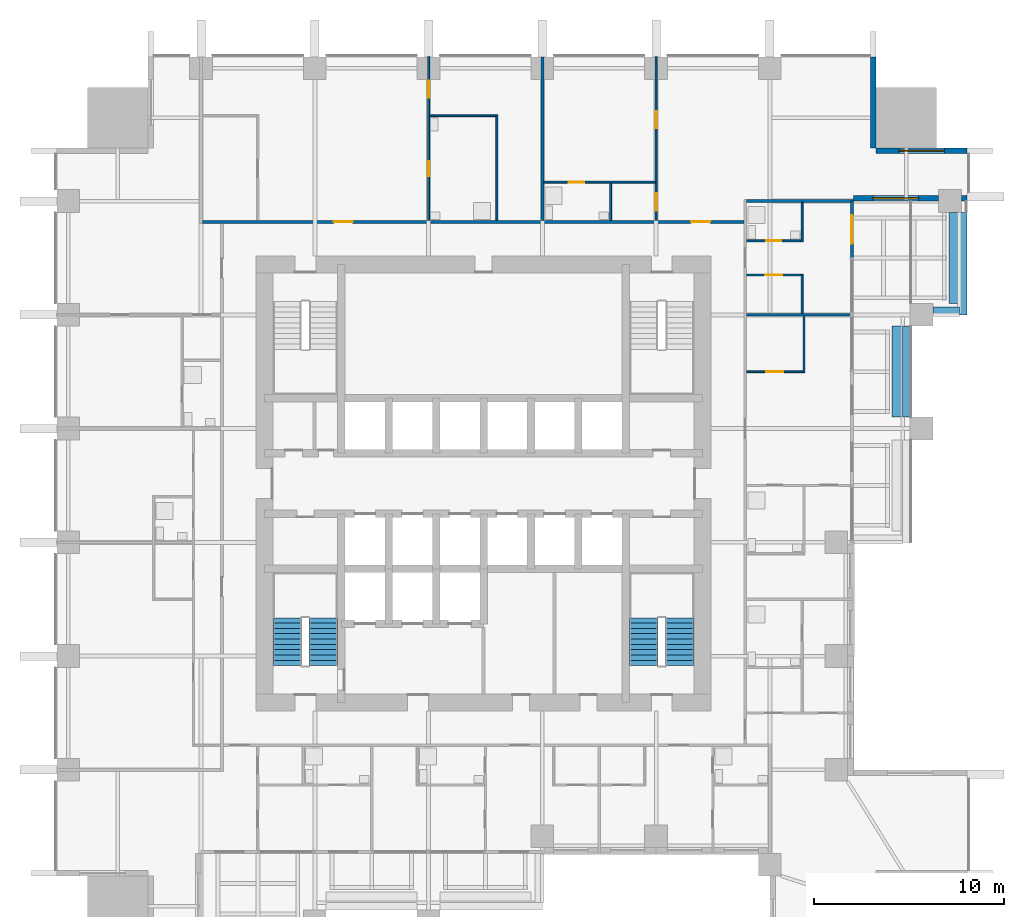
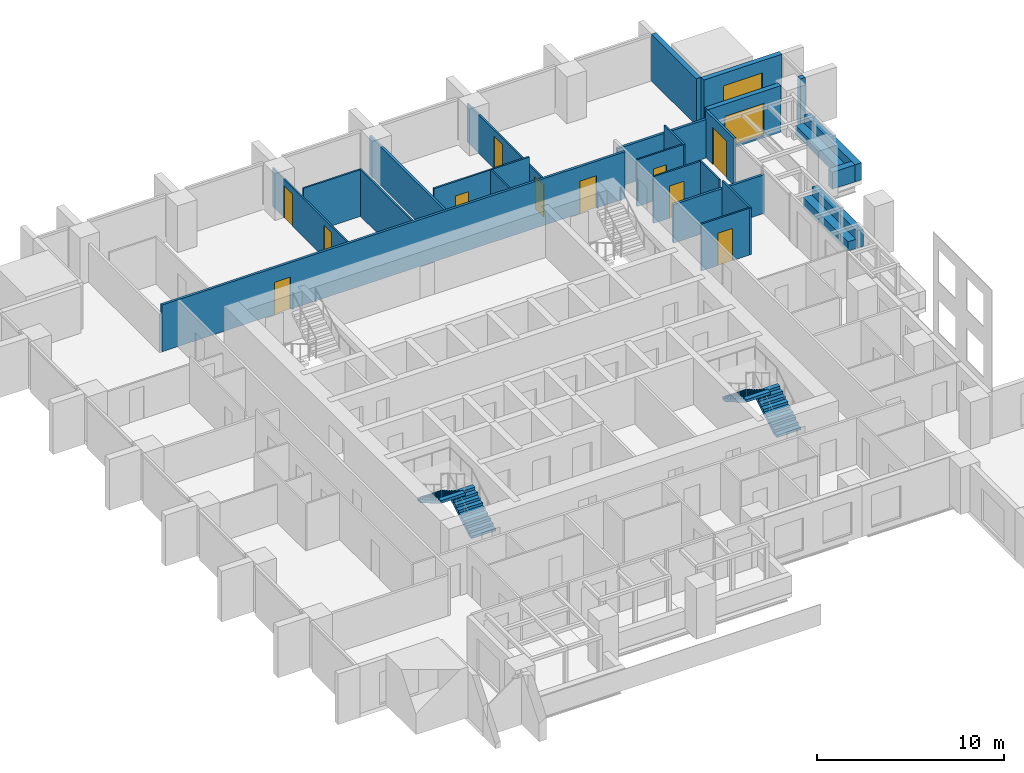
# One storey, part 11 of 15: 26 walls, 11 doors, 4 stair flights, 2 windows, 13 openings, 2 elements without a shape of their own.
"""IFC4 building model written with IfcOpenShell, lengths in metres."""

from ifc_helpers import new_model, si_unit, direction, frame, frame_2d, origin, place, context, subcontext, project, spatial, polyline, rectangle, outline, extrude, material, layer, layer_set, type_object, element, fill, aggregate, save


model = new_model("IFC4")

# Units and contexts
model_context = context("Model", 3, precision=1e-05, world=origin(), true_north=direction((0.0, 1.0)))
body_context = subcontext(model_context, "Body", "Model", "MODEL_VIEW")
ifc_project = project(units=[si_unit("LENGTHUNIT", "METRE"), si_unit("AREAUNIT", "SQUARE_METRE"), si_unit("VOLUMEUNIT", "CUBIC_METRE"), si_unit("PLANEANGLEUNIT", "RADIAN"), si_unit("MASSUNIT", "GRAM", prefix="KILO")], contexts=[model_context])

# Site, building, storey
site_placement = place(None, origin())
site = spatial("IfcSite", under=ifc_project, at=site_placement, CompositionType="ELEMENT")
building_placement = place(site_placement, origin())
building = spatial("IfcBuilding", under=site, at=building_placement, Name="Amberfall Residences", CompositionType="ELEMENT")
storey_placement = place(building_placement, frame((0.0, 0.0, 53.199951171875)))
storey = spatial("IfcBuildingStorey", under=building, at=storey_placement, Name="L14", CompositionType="ELEMENT", Elevation=53.199951171875)

# Wall, opening, window
ifc_material_1 = material(Name="Pale stone cladding on insulated backing", Category="masonry")
ifc_layer_1 = layer(ifc_material_1, 0.300048828125)
ifc_layer_set_1 = layer_set([ifc_layer_1], Name="Bronze clad wall 300")
wall_type_1 = type_object("IfcWallType", Name="Bronze clad wall 300", PredefinedType="SOLIDWALL", material=ifc_layer_set_1)
wall_1_placement = place(storey_placement, frame((94.0, 60.550048828125, 0.0), z_axis=(0.0, 0.0, 1.0), x_axis=(1.0, 0.0, 0.0)))
wall_1 = element("IfcWall", 1, at=wall_1_placement, inside=storey, type_object=wall_type_1, Name="External wall L14 E", PredefinedType="SOLIDWALL", context=body_context, shape_type="SweptSolid", body=[
    extrude(rectangle(XDim=4.5, YDim=0.300048828125, at=frame_2d((2.25, 0.0))), origin(), (0.0, 0.0, 1.0), 3.050048828125),
])
opening_1_placement = place(wall_1_placement, frame((1.050048828125, 0.0, 0.14990234375)))
opening_1 = element("IfcOpeningElement", 2, at=opening_1_placement, cuts=wall_1, Name="Opening WN5", PredefinedType="OPENING", context=body_context, shape_type="SweptSolid", body=[
    extrude(rectangle(XDim=2.39990234375, YDim=2.10009765625, at=frame_2d((1.199951171875, 1.050048828125))), frame((0.0, 0.159912109375, 0.0), z_axis=(0.0, -1.0, 0.0), x_axis=(1.0, 0.0, 0.0)), (0.0, 0.0, 1.0), 0.320068359375),
])
ifc_material_2 = material(Name="Bronze aluminium framed glazing", Category="aluminium")
window_type = type_object("IfcWindowType", Name="Glazed opening 2400 x 2100 bronze", PartitioningType="DOUBLE_PANEL_VERTICAL", PredefinedType="WINDOW", material=ifc_material_2)
window_1_placement = place(opening_1_placement, origin())
window_1 = element("IfcWindow", 3, at=window_1_placement, inside=storey, type_object=window_type, Name="Window L14 E", OverallHeight=2.10009765625, OverallWidth=2.39990234375, PartitioningType="DOUBLE_PANEL_VERTICAL", PredefinedType="WINDOW", context=body_context, shape_type="SweptSolid", body=[
    extrude(rectangle(XDim=2.39990234375, YDim=2.10009765625, at=frame_2d((1.199951171875, 1.050048828125))), frame((0.0, 0.030029296875, 0.0), z_axis=(0.0, -1.0, 0.0), x_axis=(1.0, 0.0, 0.0)), (0.0, 0.0, 1.0), 0.06005859375),
])
fill(opening_1, window_1)

# Wall
wall_2_placement = place(storey_placement, frame((99.699951171875, 60.550048828125, 0.0), z_axis=(0.0, 0.0, 1.0), x_axis=(1.0, 0.0, 0.0)))
element("IfcWall", 4, at=wall_2_placement, inside=storey, type_object=wall_type_1, Name="External wall L14 E", PredefinedType="SOLIDWALL", context=body_context, shape_type="SweptSolid", body=[
    extrude(rectangle(XDim=0.300048828125, YDim=0.300048828125, at=frame_2d((0.14990234375, 0.0))), origin(), (0.0, 0.0, 1.0), 3.050048828125),
])

# Wall, opening, window
wall_3_placement = place(storey_placement, frame((100.0, 63.050048828125, 0.0), z_axis=(0.0, 0.0, 1.0), x_axis=(-1.0, 0.0, 0.0)))
wall_3 = element("IfcWall", 5, at=wall_3_placement, inside=storey, type_object=wall_type_1, Name="External wall L14 NE", PredefinedType="SOLIDWALL", context=body_context, shape_type="SweptSolid", body=[
    extrude(rectangle(XDim=4.800048828125, YDim=0.300048828125, at=frame_2d((2.39990234375, 0.0))), origin(), (0.0, 0.0, 1.0), 3.050048828125),
])
opening_2_placement = place(wall_3_placement, frame((1.199951171875, 0.0, 0.14990234375)))
opening_2 = element("IfcOpeningElement", 6, at=opening_2_placement, cuts=wall_3, Name="Opening WN5", PredefinedType="OPENING", context=body_context, shape_type="SweptSolid", body=[
    extrude(rectangle(XDim=2.39990234375, YDim=2.10009765625, at=frame_2d((1.199951171875, 1.050048828125))), frame((0.0, 0.159912109375, 0.0), z_axis=(0.0, -1.0, 0.0), x_axis=(1.0, 0.0, 0.0)), (0.0, 0.0, 1.0), 0.320068359375),
])
window_2_placement = place(opening_2_placement, origin())
window_2 = element("IfcWindow", 7, at=window_2_placement, inside=storey, type_object=window_type, Name="Window L14 NE", OverallHeight=2.10009765625, OverallWidth=2.39990234375, PartitioningType="DOUBLE_PANEL_VERTICAL", PredefinedType="WINDOW", context=body_context, shape_type="SweptSolid", body=[
    extrude(rectangle(XDim=2.39990234375, YDim=2.10009765625, at=frame_2d((1.199951171875, 1.050048828125))), frame((0.0, 0.030029296875, 0.0), z_axis=(0.0, -1.0, 0.0), x_axis=(1.0, 0.0, 0.0)), (0.0, 0.0, 1.0), 0.06005859375),
])
fill(opening_2, window_2)

# Wall
wall_4_placement = place(storey_placement, frame((95.050048828125, 63.199951171875, 0.0), z_axis=(0.0, 0.0, 1.0), x_axis=(0.0, 1.0, 0.0)))
element("IfcWall", 8, at=wall_4_placement, inside=storey, type_object=wall_type_1, Name="External wall L14 NE", PredefinedType="SOLIDWALL", context=body_context, shape_type="SweptSolid", body=[
    extrude(rectangle(XDim=4.800048828125, YDim=0.300048828125, at=frame_2d((2.39990234375, 0.0))), origin(), (0.0, 0.0, 1.0), 3.050048828125),
])

# Wall, openings, doors
ifc_material_3 = material(Name="Gypsum board on metal stud")
ifc_layer_2 = layer(ifc_material_3, 0.10009765625)
ifc_layer_set_2 = layer_set([ifc_layer_2], Name="Flat partition 100")
wall_type_2 = type_object("IfcWallType", Name="Flat partition 100", PredefinedType="PARTITIONING", material=ifc_layer_set_2)
wall_5_placement = place(storey_placement, frame((71.60009765625, 68.0, 0.0), z_axis=(0.0, 0.0, 1.0), x_axis=(0.0, -1.0, 0.0)))
wall_5 = element("IfcWall", 9, at=wall_5_placement, inside=storey, type_object=wall_type_2, Name="Partition 008", PredefinedType="PARTITIONING", context=body_context, shape_type="SweptSolid", body=[
    extrude(rectangle(XDim=8.625, YDim=0.10009765625, at=frame_2d((4.3125, 0.0))), origin(), (0.0, 0.0, 1.0), 2.51611328125),
])
opening_3_placement = place(wall_5_placement, frame((1.25, 0.0, 0.0)))
opening_3 = element("IfcOpeningElement", 10, at=opening_3_placement, cuts=wall_5, Name="Opening D41", PredefinedType="OPENING", context=body_context, shape_type="SweptSolid", body=[
    extrude(rectangle(XDim=0.89990234375, YDim=2.10009765625, at=frame_2d((0.449951171875, 1.050048828125))), frame((0.0, 0.06005859375, 0.0), z_axis=(0.0, -1.0, 0.0), x_axis=(1.0, 0.0, 0.0)), (0.0, 0.0, 1.0), 0.1201171875),
])
opening_4_placement = place(wall_5_placement, frame((5.5, 0.0, 0.0)))
opening_4 = element("IfcOpeningElement", 11, at=opening_4_placement, cuts=wall_5, Name="Opening D42", PredefinedType="OPENING", context=body_context, shape_type="SweptSolid", body=[
    extrude(rectangle(XDim=0.800048828125, YDim=2.10009765625, at=frame_2d((0.39990234375, 1.050048828125))), frame((0.0, 0.06005859375, 0.0), z_axis=(0.0, -1.0, 0.0), x_axis=(1.0, 0.0, 0.0)), (0.0, 0.0, 1.0), 0.1201171875),
])
ifc_material_4 = material(Name="Timber", Category="wood")
door_type_1 = type_object("IfcDoorType", Name="Bathroom door 800 x 2100", OperationType="SINGLE_SWING_LEFT", PredefinedType="DOOR", material=ifc_material_4)
door_1_placement = place(opening_4_placement, origin())
door_1 = element("IfcDoor", 12, at=door_1_placement, inside=storey, type_object=door_type_1, Name="Door 1407 bath1", OperationType="SINGLE_SWING_LEFT", OverallHeight=2.10009765625, OverallWidth=0.800048828125, PredefinedType="DOOR", context=body_context, shape_type="SweptSolid", body=[
    extrude(rectangle(XDim=0.800048828125, YDim=2.10009765625, at=frame_2d((0.39990234375, 1.050048828125))), frame((0.0, 0.02490234375, 0.0), z_axis=(0.0, -1.0, 0.0), x_axis=(1.0, 0.0, 0.0)), (0.0, 0.0, 1.0), 0.050048828125),
])
fill(opening_4, door_1)
door_type_2 = type_object("IfcDoorType", Name="Internal door 900 x 2100", OperationType="SINGLE_SWING_LEFT", PredefinedType="DOOR", material=ifc_material_4)
door_2_placement = place(opening_3_placement, origin())
door_2 = element("IfcDoor", 13, at=door_2_placement, inside=storey, type_object=door_type_2, Name="Door 1407 bedroom1", OperationType="SINGLE_SWING_LEFT", OverallHeight=2.10009765625, OverallWidth=0.89990234375, PredefinedType="DOOR", context=body_context, shape_type="SweptSolid", body=[
    extrude(rectangle(XDim=0.89990234375, YDim=2.10009765625, at=frame_2d((0.449951171875, 1.050048828125))), frame((0.0, 0.02490234375, 0.0), z_axis=(0.0, -1.0, 0.0), x_axis=(1.0, 0.0, 0.0)), (0.0, 0.0, 1.0), 0.050048828125),
])
fill(opening_3, door_2)

# Walls
wall_6_placement = place(storey_placement, frame((75.199951171875, 59.375, 0.0), z_axis=(0.0, 0.0, 1.0), x_axis=(0.0, 1.0, 0.0)))
element("IfcWall", 14, at=wall_6_placement, inside=storey, type_object=wall_type_2, Name="Partition 010", PredefinedType="PARTITIONING", context=body_context, shape_type="SweptSolid", body=[
    extrude(rectangle(XDim=5.574951171875, YDim=0.10009765625, at=frame_2d((2.78759765625, 0.0))), origin(), (0.0, 0.0, 1.0), 3.050048828125),
])
wall_7_placement = place(storey_placement, frame((81.199951171875, 59.375, 0.0), z_axis=(0.0, 0.0, 1.0), x_axis=(0.0, 1.0, 0.0)))
element("IfcWall", 15, at=wall_7_placement, inside=storey, type_object=wall_type_2, Name="Partition 012", PredefinedType="PARTITIONING", context=body_context, shape_type="SweptSolid", body=[
    extrude(rectangle(XDim=1.97509765625, YDim=0.10009765625, at=frame_2d((0.987548828125, 0.0))), origin(), (0.0, 0.0, 1.0), 3.050048828125),
])

# Wall, openings, doors
wall_8_placement = place(storey_placement, frame((83.60009765625, 59.375, 0.0), z_axis=(0.0, 0.0, 1.0), x_axis=(0.0, 1.0, 0.0)))
wall_8 = element("IfcWall", 16, at=wall_8_placement, inside=storey, type_object=wall_type_2, Name="Partition 014", PredefinedType="PARTITIONING", context=body_context, shape_type="SweptSolid", body=[
    extrude(rectangle(XDim=8.625, YDim=0.10009765625, at=frame_2d((4.3125, 0.0))), origin(), (0.0, 0.0, 1.0), 2.51611328125),
])
opening_5_placement = place(wall_8_placement, frame((0.52490234375, 0.0, 0.0)))
opening_5 = element("IfcOpeningElement", 17, at=opening_5_placement, cuts=wall_8, Name="Opening D41", PredefinedType="OPENING", context=body_context, shape_type="SweptSolid", body=[
    extrude(rectangle(XDim=0.89990234375, YDim=2.10009765625, at=frame_2d((0.449951171875, 1.050048828125))), frame((0.0, 0.06005859375, 0.0), z_axis=(0.0, -1.0, 0.0), x_axis=(1.0, 0.0, 0.0)), (0.0, 0.0, 1.0), 0.1201171875),
])
opening_6_placement = place(wall_8_placement, frame((4.875, 0.0, 0.0)))
opening_6 = element("IfcOpeningElement", 18, at=opening_6_placement, cuts=wall_8, Name="Opening D41", PredefinedType="OPENING", context=body_context, shape_type="SweptSolid", body=[
    extrude(rectangle(XDim=0.89990234375, YDim=2.10009765625, at=frame_2d((0.449951171875, 1.050048828125))), frame((0.0, 0.06005859375, 0.0), z_axis=(0.0, -1.0, 0.0), x_axis=(1.0, 0.0, 0.0)), (0.0, 0.0, 1.0), 0.1201171875),
])
door_3_placement = place(opening_5_placement, origin())
door_3 = element("IfcDoor", 19, at=door_3_placement, inside=storey, type_object=door_type_2, Name="Door 1408 kitchen", OperationType="SINGLE_SWING_LEFT", OverallHeight=2.10009765625, OverallWidth=0.89990234375, PredefinedType="DOOR", context=body_context, shape_type="SweptSolid", body=[
    extrude(rectangle(XDim=0.89990234375, YDim=2.10009765625, at=frame_2d((0.449951171875, 1.050048828125))), frame((0.0, 0.02490234375, 0.0), z_axis=(0.0, -1.0, 0.0), x_axis=(1.0, 0.0, 0.0)), (0.0, 0.0, 1.0), 0.050048828125),
])
fill(opening_5, door_3)
door_4_placement = place(opening_6_placement, origin())
door_4 = element("IfcDoor", 20, at=door_4_placement, inside=storey, type_object=door_type_2, Name="Door 1408 bedroom1", OperationType="SINGLE_SWING_LEFT", OverallHeight=2.10009765625, OverallWidth=0.89990234375, PredefinedType="DOOR", context=body_context, shape_type="SweptSolid", body=[
    extrude(rectangle(XDim=0.89990234375, YDim=2.10009765625, at=frame_2d((0.449951171875, 1.050048828125))), frame((0.0, 0.02490234375, 0.0), z_axis=(0.0, -1.0, 0.0), x_axis=(1.0, 0.0, 0.0)), (0.0, 0.0, 1.0), 0.050048828125),
])
fill(opening_6, door_4)

# Walls
for number, where, z_axis, x_axis, name in (
    (21, (91.300048828125, 54.47509765625, 0.0), (0.0, 0.0, 1.0), (0.0, 1.0, 0.0), "Partition 017"),
    (22, (91.300048828125, 58.25, 0.0), (0.0, 0.0, 1.0), (0.0, 1.0, 0.0), "Partition 018"),
):
    element("IfcWall", number, at=place(storey_placement, frame(where, z_axis=z_axis, x_axis=x_axis)), inside=storey, type_object=wall_type_2, Name=name, PredefinedType="PARTITIONING", context=body_context, shape_type="SweptSolid", body=[
        extrude(rectangle(XDim=2.074951171875, YDim=0.10009765625, at=frame_2d((1.03759765625, 0.0))), origin(), (0.0, 0.0, 1.0), 3.050048828125),
    ])
wall_9_placement = place(storey_placement, frame((91.39990234375, 51.35009765625, 0.0), z_axis=(0.0, 0.0, 1.0), x_axis=(0.0, 1.0, 0.0)))
element("IfcWall", 23, at=wall_9_placement, inside=storey, type_object=wall_type_2, Name="Partition 020", PredefinedType="PARTITIONING", context=body_context, shape_type="SweptSolid", body=[
    extrude(rectangle(XDim=2.974853515625, YDim=0.10009765625, at=frame_2d((1.4873046875, 0.0))), origin(), (0.0, 0.0, 1.0), 3.050048828125),
])
wall_10_placement = place(storey_placement, frame((71.64990234375, 64.89990234375, 0.0), z_axis=(0.0, 0.0, 1.0), x_axis=(1.0, 0.0, 0.0)))
element("IfcWall", 24, at=wall_10_placement, inside=storey, type_object=wall_type_2, Name="Partition 022", PredefinedType="PARTITIONING", context=body_context, shape_type="SweptSolid", body=[
    extrude(rectangle(XDim=3.5, YDim=0.10009765625, at=frame_2d((1.75, 0.0))), origin(), (0.0, 0.0, 1.0), 3.050048828125),
])

# Wall, opening, door
wall_11_placement = place(storey_placement, frame((83.550048828125, 61.39990234375, 0.0), z_axis=(0.0, 0.0, 1.0), x_axis=(-1.0, 0.0, 0.0)))
wall_11 = element("IfcWall", 25, at=wall_11_placement, inside=storey, type_object=wall_type_2, Name="Partition 023", PredefinedType="PARTITIONING", context=body_context, shape_type="SweptSolid", body=[
    extrude(rectangle(XDim=5.875, YDim=0.10009765625, at=frame_2d((2.9375, 0.0))), origin(), (0.0, 0.0, 1.0), 3.050048828125),
])
opening_7_placement = place(wall_11_placement, frame((3.75, 0.0, 0.0)))
opening_7 = element("IfcOpeningElement", 26, at=opening_7_placement, cuts=wall_11, Name="Opening D42", PredefinedType="OPENING", context=body_context, shape_type="SweptSolid", body=[
    extrude(rectangle(XDim=0.800048828125, YDim=2.10009765625, at=frame_2d((0.39990234375, 1.050048828125))), frame((0.0, 0.06005859375, 0.0), z_axis=(0.0, -1.0, 0.0), x_axis=(1.0, 0.0, 0.0)), (0.0, 0.0, 1.0), 0.1201171875),
])
door_5_placement = place(opening_7_placement, origin())
door_5 = element("IfcDoor", 27, at=door_5_placement, inside=storey, type_object=door_type_1, Name="Door 1408 bath1", OperationType="SINGLE_SWING_LEFT", OverallHeight=2.10009765625, OverallWidth=0.800048828125, PredefinedType="DOOR", context=body_context, shape_type="SweptSolid", body=[
    extrude(rectangle(XDim=0.800048828125, YDim=2.10009765625, at=frame_2d((0.39990234375, 1.050048828125))), frame((0.0, 0.02490234375, 0.0), z_axis=(0.0, -1.0, 0.0), x_axis=(1.0, 0.0, 0.0)), (0.0, 0.0, 1.0), 0.050048828125),
])
fill(opening_7, door_5)

wall_12_placement = place(storey_placement, frame((88.375, 58.300048828125, 0.0), z_axis=(0.0, 0.0, 1.0), x_axis=(1.0, 0.0, 0.0)))
wall_12 = element("IfcWall", 28, at=wall_12_placement, inside=storey, type_object=wall_type_2, Name="Partition 024", PredefinedType="PARTITIONING", context=body_context, shape_type="SweptSolid", body=[
    extrude(rectangle(XDim=2.875, YDim=0.10009765625, at=frame_2d((1.4375, 0.0))), origin(), (0.0, 0.0, 1.0), 3.050048828125),
])
opening_8_placement = place(wall_12_placement, frame((1.02490234375, 0.0, 0.0)))
opening_8 = element("IfcOpeningElement", 29, at=opening_8_placement, cuts=wall_12, Name="Opening D42", PredefinedType="OPENING", context=body_context, shape_type="SweptSolid", body=[
    extrude(rectangle(XDim=0.800048828125, YDim=2.10009765625, at=frame_2d((0.39990234375, 1.050048828125))), frame((0.0, 0.06005859375, 0.0), z_axis=(0.0, -1.0, 0.0), x_axis=(1.0, 0.0, 0.0)), (0.0, 0.0, 1.0), 0.1201171875),
])
door_6_placement = place(opening_8_placement, origin())
door_6 = element("IfcDoor", 30, at=door_6_placement, inside=storey, type_object=door_type_1, Name="Door 1406 bath1", OperationType="SINGLE_SWING_LEFT", OverallHeight=2.10009765625, OverallWidth=0.800048828125, PredefinedType="DOOR", context=body_context, shape_type="SweptSolid", body=[
    extrude(rectangle(XDim=0.800048828125, YDim=2.10009765625, at=frame_2d((0.39990234375, 1.050048828125))), frame((0.0, 0.02490234375, 0.0), z_axis=(0.0, -1.0, 0.0), x_axis=(1.0, 0.0, 0.0)), (0.0, 0.0, 1.0), 0.050048828125),
])
fill(opening_8, door_6)

wall_13_placement = place(storey_placement, frame((91.25, 56.5, 0.0), z_axis=(0.0, 0.0, 1.0), x_axis=(-1.0, 0.0, 0.0)))
wall_13 = element("IfcWall", 31, at=wall_13_placement, inside=storey, type_object=wall_type_2, Name="Partition 025", PredefinedType="PARTITIONING", context=body_context, shape_type="SweptSolid", body=[
    extrude(rectangle(XDim=2.875, YDim=0.10009765625, at=frame_2d((1.4375, 0.0))), origin(), (0.0, 0.0, 1.0), 3.050048828125),
])
opening_9_placement = place(wall_13_placement, frame((1.0, 0.0, 0.0)))
opening_9 = element("IfcOpeningElement", 32, at=opening_9_placement, cuts=wall_13, Name="Opening D41", PredefinedType="OPENING", context=body_context, shape_type="SweptSolid", body=[
    extrude(rectangle(XDim=0.89990234375, YDim=2.10009765625, at=frame_2d((0.449951171875, 1.050048828125))), frame((0.0, 0.06005859375, 0.0), z_axis=(0.0, -1.0, 0.0), x_axis=(1.0, 0.0, 0.0)), (0.0, 0.0, 1.0), 0.1201171875),
])
door_7_placement = place(opening_9_placement, origin())
door_7 = element("IfcDoor", 33, at=door_7_placement, inside=storey, type_object=door_type_2, Name="Door 1406 kitchen", OperationType="SINGLE_SWING_LEFT", OverallHeight=2.10009765625, OverallWidth=0.89990234375, PredefinedType="DOOR", context=body_context, shape_type="SweptSolid", body=[
    extrude(rectangle(XDim=0.89990234375, YDim=2.10009765625, at=frame_2d((0.449951171875, 1.050048828125))), frame((0.0, 0.02490234375, 0.0), z_axis=(0.0, -1.0, 0.0), x_axis=(1.0, 0.0, 0.0)), (0.0, 0.0, 1.0), 0.050048828125),
])
fill(opening_9, door_7)

wall_14_placement = place(storey_placement, frame((88.375, 51.39990234375, 0.0), z_axis=(0.0, 0.0, 1.0), x_axis=(1.0, 0.0, 0.0)))
wall_14 = element("IfcWall", 34, at=wall_14_placement, inside=storey, type_object=wall_type_2, Name="Partition 028", PredefinedType="PARTITIONING", context=body_context, shape_type="SweptSolid", body=[
    extrude(rectangle(XDim=2.97509765625, YDim=0.10009765625, at=frame_2d((1.487548828125, 0.0))), origin(), (0.0, 0.0, 1.0), 3.050048828125),
])
opening_10_placement = place(wall_14_placement, frame((1.02490234375, 0.0, 0.0)))
opening_10 = element("IfcOpeningElement", 35, at=opening_10_placement, cuts=wall_14, Name="Opening D41", PredefinedType="OPENING", context=body_context, shape_type="SweptSolid", body=[
    extrude(rectangle(XDim=0.89990234375, YDim=2.10009765625, at=frame_2d((0.449951171875, 1.050048828125))), frame((0.0, 0.06005859375, 0.0), z_axis=(0.0, -1.0, 0.0), x_axis=(1.0, 0.0, 0.0)), (0.0, 0.0, 1.0), 0.1201171875),
])
door_8_placement = place(opening_10_placement, origin())
door_8 = element("IfcDoor", 36, at=door_8_placement, inside=storey, type_object=door_type_2, Name="Door 1405 kitchen", OperationType="SINGLE_SWING_LEFT", OverallHeight=2.10009765625, OverallWidth=0.89990234375, PredefinedType="DOOR", context=body_context, shape_type="SweptSolid", body=[
    extrude(rectangle(XDim=0.89990234375, YDim=2.10009765625, at=frame_2d((0.449951171875, 1.050048828125))), frame((0.0, 0.02490234375, 0.0), z_axis=(0.0, -1.0, 0.0), x_axis=(1.0, 0.0, 0.0)), (0.0, 0.0, 1.0), 0.050048828125),
])
fill(opening_10, door_8)

# Walls
ifc_material_5 = material(Name="Blockwork, plastered", Category="masonry")
ifc_layer_3 = layer(ifc_material_5, 0.14990234375)
ifc_layer_set_3 = layer_set([ifc_layer_3], Name="Flat separating wall 150")
wall_type_3 = type_object("IfcWallType", Name="Flat separating wall 150", PredefinedType="PARTITIONING", material=ifc_layer_set_3)
wall_15_placement = place(storey_placement, frame((77.60009765625, 59.375, 0.0), z_axis=(0.0, 0.0, 1.0), x_axis=(0.0, 1.0, 0.0)))
element("IfcWall", 37, at=wall_15_placement, inside=storey, type_object=wall_type_3, Name="Separating wall 044", PredefinedType="PARTITIONING", context=body_context, shape_type="SweptSolid", body=[
    extrude(rectangle(XDim=8.625, YDim=0.14990234375, at=frame_2d((4.3125, 0.0))), origin(), (0.0, 0.0, 1.0), 2.51611328125),
])
wall_16_placement = place(storey_placement, frame((88.375, 60.39990234375, 0.0), z_axis=(0.0, 0.0, 1.0), x_axis=(1.0, 0.0, 0.0)))
element("IfcWall", 38, at=wall_16_placement, inside=storey, type_object=wall_type_3, Name="Separating wall 048", PredefinedType="PARTITIONING", context=body_context, shape_type="SweptSolid", body=[
    extrude(rectangle(XDim=5.625, YDim=0.14990234375, at=frame_2d((2.8125, 0.0))), origin(), (0.0, 0.0, 1.0), 2.51611328125),
])

# Wall, openings, doors
wall_17_placement = place(storey_placement, frame((59.675048828125, 59.300048828125, 0.0), z_axis=(0.0, 0.0, 1.0), x_axis=(1.0, 0.0, 0.0)))
wall_17 = element("IfcWall", 39, at=wall_17_placement, inside=storey, type_object=wall_type_3, Name="Separating wall 049", PredefinedType="PARTITIONING", context=body_context, shape_type="SweptSolid", body=[
    extrude(rectangle(XDim=28.550048828125, YDim=0.14990234375, at=frame_2d((14.27490234375, 0.0))), origin(), (0.0, 0.0, 1.0), 3.050048828125),
])
opening_11_placement = place(wall_17_placement, frame((6.925048828125, 0.0, 0.0)))
opening_11 = element("IfcOpeningElement", 40, at=opening_11_placement, cuts=wall_17, Name="Opening D40", PredefinedType="OPENING", context=body_context, shape_type="SweptSolid", body=[
    extrude(rectangle(XDim=1.0, YDim=2.10009765625, at=frame_2d((0.5, 1.050048828125))), frame((0.0, 0.0849609375, 0.0), z_axis=(0.0, -1.0, 0.0), x_axis=(1.0, 0.0, 0.0)), (0.0, 0.0, 1.0), 0.169921875),
])
opening_12_placement = place(wall_17_placement, frame((25.77490234375, 0.0, 0.0)))
opening_12 = element("IfcOpeningElement", 41, at=opening_12_placement, cuts=wall_17, Name="Opening D40", PredefinedType="OPENING", context=body_context, shape_type="SweptSolid", body=[
    extrude(rectangle(XDim=1.0, YDim=2.10009765625, at=frame_2d((0.5, 1.050048828125))), frame((0.0, 0.0849609375, 0.0), z_axis=(0.0, -1.0, 0.0), x_axis=(1.0, 0.0, 0.0)), (0.0, 0.0, 1.0), 0.169921875),
])
ifc_material_6 = material(Name="Timber, fire-rated", Category="wood")
door_type_3 = type_object("IfcDoorType", Name="Flat entrance door FD60 1000 x 2100", OperationType="SINGLE_SWING_LEFT", PredefinedType="DOOR", material=ifc_material_6)
door_9_placement = place(opening_11_placement, origin())
door_9 = element("IfcDoor", 42, at=door_9_placement, inside=storey, type_object=door_type_3, Name="Door 1407 entrance", OperationType="SINGLE_SWING_LEFT", OverallHeight=2.10009765625, OverallWidth=1.0, PredefinedType="DOOR", context=body_context, shape_type="SweptSolid", body=[
    extrude(rectangle(XDim=1.0, YDim=2.10009765625, at=frame_2d((0.5, 1.050048828125))), frame((0.0, 0.02490234375, 0.0), z_axis=(0.0, -1.0, 0.0), x_axis=(1.0, 0.0, 0.0)), (0.0, 0.0, 1.0), 0.050048828125),
])
fill(opening_11, door_9)
door_10_placement = place(opening_12_placement, origin())
door_10 = element("IfcDoor", 43, at=door_10_placement, inside=storey, type_object=door_type_3, Name="Door 1408 entrance", OperationType="SINGLE_SWING_LEFT", OverallHeight=2.10009765625, OverallWidth=1.0, PredefinedType="DOOR", context=body_context, shape_type="SweptSolid", body=[
    extrude(rectangle(XDim=1.0, YDim=2.10009765625, at=frame_2d((0.5, 1.050048828125))), frame((0.0, 0.02490234375, 0.0), z_axis=(0.0, -1.0, 0.0), x_axis=(1.0, 0.0, 0.0)), (0.0, 0.0, 1.0), 0.050048828125),
])
fill(opening_12, door_10)

# Walls
wall_18_placement = place(storey_placement, frame((88.375, 54.39990234375, 0.0), z_axis=(0.0, 0.0, 1.0), x_axis=(1.0, 0.0, 0.0)))
element("IfcWall", 44, at=wall_18_placement, inside=storey, type_object=wall_type_3, Name="Separating wall 050", PredefinedType="PARTITIONING", context=body_context, shape_type="SweptSolid", body=[
    extrude(rectangle(XDim=5.625, YDim=0.14990234375, at=frame_2d((2.8125, 0.0))), origin(), (0.0, 0.0, 1.0), 2.51611328125),
])
ifc_material_7 = material(Name="Precast concrete C32/40", Category="concrete")
ifc_layer_4 = layer(ifc_material_7, 0.5)
ifc_layer_set_4 = layer_set([ifc_layer_4], Name="Planter wall 500")
wall_type_4 = type_object("IfcWallType", Name="Planter wall 500", PredefinedType="SOLIDWALL", material=ifc_layer_set_4)
for number, where, z_axis, x_axis, name in (
    (45, (96.300048828125, 49.0, 0.030029296875), (0.0, 0.0, 1.0), (0.0, 1.0, 0.0), "Planter L14 E4"),
    (46, (99.300048828125, 55.0, 0.030029296875), (0.0, 0.0, 1.0), (0.0, 1.0, 0.0), "Planter L14 E5"),
):
    element("IfcWall", number, at=place(storey_placement, frame(where, z_axis=z_axis, x_axis=x_axis)), inside=storey, type_object=wall_type_4, Name=name, PredefinedType="SOLIDWALL", context=body_context, shape_type="SweptSolid", body=[
        extrude(rectangle(XDim=4.800048828125, YDim=0.5, at=frame_2d((2.39990234375, 0.0))), origin(), (0.0, 0.0, 1.0), 0.60009765625),
    ])

# Wall, opening, door
ifc_layer_5 = layer(ifc_material_1, 0.14990234375)
ifc_layer_set_5 = layer_set([ifc_layer_5], Name="Terrace door infill wall 150")
wall_type_5 = type_object("IfcWallType", Name="Terrace door infill wall 150", PredefinedType="SOLIDWALL", material=ifc_layer_set_5)
wall_19_placement = place(storey_placement, frame((93.925048828125, 57.39990234375, 0.0), z_axis=(0.0, 0.0, 1.0), x_axis=(0.0, 1.0, 0.0)))
wall_19 = element("IfcWall", 47, at=wall_19_placement, inside=storey, type_object=wall_type_5, Name="Terrace door wall L14 E5", PredefinedType="SOLIDWALL", context=body_context, shape_type="SweptSolid", body=[
    extrude(rectangle(XDim=3.0, YDim=0.14990234375, at=frame_2d((1.5, 0.0))), origin(), (0.0, 0.0, 1.0), 3.050048828125),
])
opening_13_placement = place(wall_19_placement, frame((0.75, 0.0, 0.0)))
opening_13 = element("IfcOpeningElement", 48, at=opening_13_placement, cuts=wall_19, Name="Opening TD2", PredefinedType="OPENING", context=body_context, shape_type="SweptSolid", body=[
    extrude(rectangle(XDim=1.5, YDim=2.39990234375, at=frame_2d((0.75, 1.199951171875))), frame((0.0, 0.0849609375, 0.0), z_axis=(0.0, -1.0, 0.0), x_axis=(1.0, 0.0, 0.0)), (0.0, 0.0, 1.0), 0.169921875),
])
ifc_material_8 = material(Name="Bronze aluminium framed glazed door", Category="aluminium")
door_type_4 = type_object("IfcDoorType", Name="Terrace sliding door 1500 x 2400", OperationType="DOUBLE_DOOR_SLIDING", PredefinedType="DOOR", material=ifc_material_8)
door_11_placement = place(opening_13_placement, origin())
door_11 = element("IfcDoor", 49, at=door_11_placement, inside=storey, type_object=door_type_4, Name="Terrace door TD2", OperationType="DOUBLE_DOOR_SLIDING", OverallHeight=2.39990234375, OverallWidth=1.5, PredefinedType="DOOR", context=body_context, shape_type="SweptSolid", body=[
    extrude(rectangle(XDim=1.5, YDim=2.39990234375, at=frame_2d((0.75, 1.199951171875))), frame((0.0, 0.02490234375, 0.0), z_axis=(0.0, -1.0, 0.0), x_axis=(1.0, 0.0, 0.0)), (0.0, 0.0, 1.0), 0.050048828125),
])
fill(opening_13, door_11)

# Walls
ifc_material_9 = material(Name="Pale stone faced Concrete C40", Category="masonry")
ifc_layer_6 = layer(ifc_material_9, 0.39990234375)
ifc_layer_set_6 = layer_set([ifc_layer_6], Name="Terrace parapet wall 400")
wall_type_6 = type_object("IfcWallType", Name="Terrace parapet wall 400", PredefinedType="PARAPET", material=ifc_layer_set_6)
wall_20_placement = place(storey_placement, frame((96.800048828125, 49.0, 0.030029296875), z_axis=(0.0, 0.0, 1.0), x_axis=(0.0, 1.0, 0.0)))
element("IfcWall", 50, at=wall_20_placement, inside=storey, type_object=wall_type_6, Name="Terrace parapet L14 E4", PredefinedType="PARAPET", context=body_context, shape_type="SweptSolid", body=[
    extrude(rectangle(XDim=4.800048828125, YDim=0.39990234375, at=frame_2d((2.39990234375, 0.0))), origin(), (0.0, 0.0, 1.0), 1.10009765625),
])
wall_21_placement = place(storey_placement, frame((99.800048828125, 54.39990234375, 0.030029296875), z_axis=(0.0, 0.0, 1.0), x_axis=(0.0, 1.0, 0.0)))
element("IfcWall", 51, at=wall_21_placement, inside=storey, type_object=wall_type_6, Name="Terrace parapet L14 E5", PredefinedType="PARAPET", context=body_context, shape_type="SweptSolid", body=[
    extrude(rectangle(XDim=5.400146484375, YDim=0.39990234375, at=frame_2d((2.7001953125, 0.0))), origin(), (0.0, 0.0, 1.0), 1.10009765625),
])
wall_22_placement = place(storey_placement, frame((98.199951171875, 54.60009765625, 0.030029296875), z_axis=(0.0, 0.0, 1.0), x_axis=(1.0, 0.0, 0.0)))
element("IfcWall", 52, at=wall_22_placement, inside=storey, type_object=wall_type_6, Name="Terrace parapet L14 E5 return", PredefinedType="PARAPET", context=body_context, shape_type="SweptSolid", body=[
    extrude(rectangle(XDim=1.400146484375, YDim=0.39990234375, at=frame_2d((0.7001953125, 0.0))), origin(), (0.0, 0.0, 1.0), 1.10009765625),
])

# Stair, stair flights
ifc_material_10 = material(Name="Concrete C40", Category="concrete")
stair_type = type_object("IfcStairType", Name="Exit stair 20 risers 165.0 mm", PredefinedType="HALF_TURN_STAIR", material=ifc_material_10)
stair_1_placement = place(storey_placement, origin())
stair_1 = element("IfcStair", 53, at=stair_1_placement, inside=storey, type_object=stair_type, Name="L14 Exit stair 1", PredefinedType="HALF_TURN_STAIR")
stair_flight_type = type_object("IfcStairFlightType", Name="Stair flight 10 risers 165.0 mm", PredefinedType="STRAIGHT", material=ifc_material_10)
stair_flight_1_placement = place(storey_placement, frame((66.050048828125, 35.89990234375, 0.0), z_axis=(0.0, 0.0, 1.0), x_axis=(0.0, 1.0, 0.0)))
stair_flight_1 = element("IfcStairFlight", 54, at=stair_flight_1_placement, type_object=stair_flight_type, Name="ST3 flight 1", NumberOfRisers=10, NumberOfTreads=9, PredefinedType="STRAIGHT", RiserHeight=0.165, TreadLength=0.28, context=body_context, shape_type="SweptSolid", body=[
    extrude(outline(polyline([(0.0, 0.0), (0.0, 0.1650390625), (0.280029296875, 0.1650390625), (0.280029296875, 0.330078125), (0.56005859375, 0.330078125), (0.56005859375, 0.4951171875), (0.840087890625, 0.4951171875), (0.840087890625, 0.659912109375), (1.1201171875, 0.659912109375), (1.1201171875, 0.824951171875), (1.39990234375, 0.824951171875), (1.39990234375, 0.989990234375), (1.679931640625, 0.989990234375), (1.679931640625, 1.155029296875), (1.9599609375, 1.155029296875), (1.9599609375, 1.320068359375), (2.239990234375, 1.320068359375), (2.239990234375, 1.485107421875), (2.52001953125, 1.485107421875), (2.52001953125, 1.64990234375), (2.52001953125, 1.31103515625), (0.295166015625, 0.0), (0.0, 0.0)])), frame((0.0, 0.75, 0.0), z_axis=(0.0, -1.0, 0.0), x_axis=(1.0, 0.0, 0.0)), (0.0, 0.0, 1.0), 1.5),
])
stair_flight_2_placement = place(storey_placement, frame((64.14990234375, 38.419921875, 1.650146484375), z_axis=(0.0, 0.0, 1.0), x_axis=(0.0, -1.0, 0.0)))
stair_flight_2 = element("IfcStairFlight", 55, at=stair_flight_2_placement, type_object=stair_flight_type, Name="ST3 flight 2", NumberOfRisers=10, NumberOfTreads=9, PredefinedType="STRAIGHT", RiserHeight=0.165, TreadLength=0.28, context=body_context, shape_type="SweptSolid", body=[
    extrude(outline(polyline([(0.0, 0.0), (0.0, 0.1650390625), (0.280029296875, 0.1650390625), (0.280029296875, 0.330078125), (0.56005859375, 0.330078125), (0.56005859375, 0.4951171875), (0.840087890625, 0.4951171875), (0.840087890625, 0.659912109375), (1.1201171875, 0.659912109375), (1.1201171875, 0.824951171875), (1.39990234375, 0.824951171875), (1.39990234375, 0.989990234375), (1.679931640625, 0.989990234375), (1.679931640625, 1.155029296875), (1.9599609375, 1.155029296875), (1.9599609375, 1.320068359375), (2.239990234375, 1.320068359375), (2.239990234375, 1.485107421875), (2.52001953125, 1.485107421875), (2.52001953125, 1.64990234375), (2.52001953125, 1.31103515625), (0.295166015625, 0.0), (0.0, 0.0)])), frame((0.0, 0.75, 0.0), z_axis=(0.0, -1.0, 0.0), x_axis=(1.0, 0.0, 0.0)), (0.0, 0.0, 1.0), 1.5),
])
aggregate(stair_1, [stair_flight_1, stair_flight_2])

stair_2_placement = place(storey_placement, origin())
stair_2 = element("IfcStair", 56, at=stair_2_placement, inside=storey, type_object=stair_type, Name="L14 Exit stair 2", PredefinedType="HALF_TURN_STAIR")
stair_flight_3_placement = place(storey_placement, frame((84.85009765625, 35.89990234375, 0.0), z_axis=(0.0, 0.0, 1.0), x_axis=(0.0, 1.0, 0.0)))
stair_flight_3 = element("IfcStairFlight", 57, at=stair_flight_3_placement, type_object=stair_flight_type, Name="ST3 flight 1", NumberOfRisers=10, NumberOfTreads=9, PredefinedType="STRAIGHT", RiserHeight=0.165, TreadLength=0.28, context=body_context, shape_type="SweptSolid", body=[
    extrude(outline(polyline([(0.0, 0.0), (0.0, 0.1650390625), (0.280029296875, 0.1650390625), (0.280029296875, 0.330078125), (0.56005859375, 0.330078125), (0.56005859375, 0.4951171875), (0.840087890625, 0.4951171875), (0.840087890625, 0.659912109375), (1.1201171875, 0.659912109375), (1.1201171875, 0.824951171875), (1.39990234375, 0.824951171875), (1.39990234375, 0.989990234375), (1.679931640625, 0.989990234375), (1.679931640625, 1.155029296875), (1.9599609375, 1.155029296875), (1.9599609375, 1.320068359375), (2.239990234375, 1.320068359375), (2.239990234375, 1.485107421875), (2.52001953125, 1.485107421875), (2.52001953125, 1.64990234375), (2.52001953125, 1.31103515625), (0.295166015625, 0.0), (0.0, 0.0)])), frame((0.0, 0.75, 0.0), z_axis=(0.0, -1.0, 0.0), x_axis=(1.0, 0.0, 0.0)), (0.0, 0.0, 1.0), 1.5),
])
stair_flight_4_placement = place(storey_placement, frame((82.949951171875, 38.419921875, 1.650146484375), z_axis=(0.0, 0.0, 1.0), x_axis=(0.0, -1.0, 0.0)))
stair_flight_4 = element("IfcStairFlight", 58, at=stair_flight_4_placement, type_object=stair_flight_type, Name="ST3 flight 2", NumberOfRisers=10, NumberOfTreads=9, PredefinedType="STRAIGHT", RiserHeight=0.165, TreadLength=0.28, context=body_context, shape_type="SweptSolid", body=[
    extrude(outline(polyline([(0.0, 0.0), (0.0, 0.1650390625), (0.280029296875, 0.1650390625), (0.280029296875, 0.330078125), (0.56005859375, 0.330078125), (0.56005859375, 0.4951171875), (0.840087890625, 0.4951171875), (0.840087890625, 0.659912109375), (1.1201171875, 0.659912109375), (1.1201171875, 0.824951171875), (1.39990234375, 0.824951171875), (1.39990234375, 0.989990234375), (1.679931640625, 0.989990234375), (1.679931640625, 1.155029296875), (1.9599609375, 1.155029296875), (1.9599609375, 1.320068359375), (2.239990234375, 1.320068359375), (2.239990234375, 1.485107421875), (2.52001953125, 1.485107421875), (2.52001953125, 1.64990234375), (2.52001953125, 1.31103515625), (0.295166015625, 0.0), (0.0, 0.0)])), frame((0.0, 0.75, 0.0), z_axis=(0.0, -1.0, 0.0), x_axis=(1.0, 0.0, 0.0)), (0.0, 0.0, 1.0), 1.5),
])
aggregate(stair_2, [stair_flight_3, stair_flight_4])

save(model, "model.ifc")
